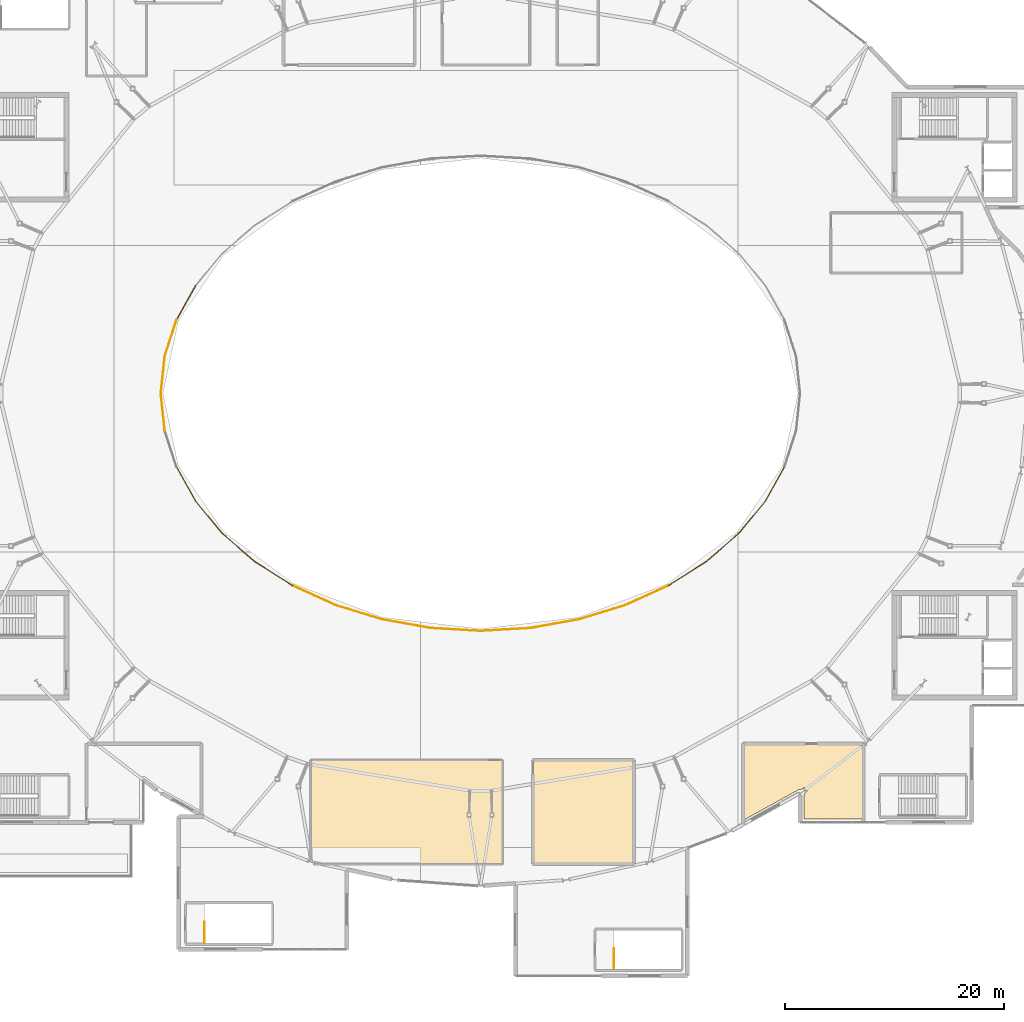
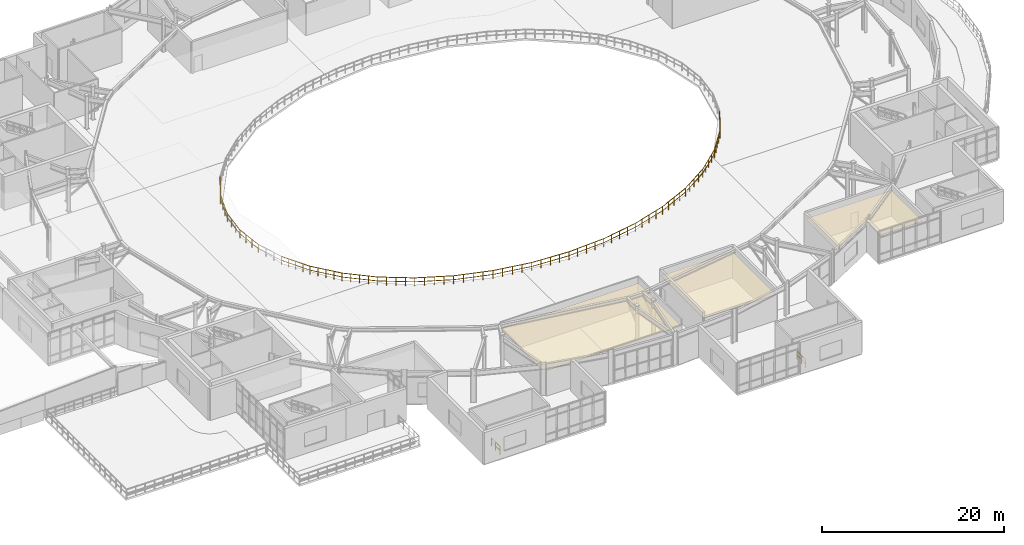
# One storey, part 45 of 48: 22 railings, 3 coverings.
"""IFC4 building model written with IfcOpenShell, lengths in metres."""

from ifc_helpers import new_model, si_unit, direction, frame, origin, origin_2d, place, context, subcontext, project, spatial, polyline, circle, outline, extrude, material, layer, layer_set, type_object, element, save


model = new_model("IFC4")

# Units and contexts
model_context = context("Model", 3, precision=1e-05, world=origin(), true_north=direction((0.0, 1.0)))
body_context = subcontext(model_context, "Body", "Model", "MODEL_VIEW")
ifc_project = project(units=[si_unit("LENGTHUNIT", "METRE"), si_unit("AREAUNIT", "SQUARE_METRE"), si_unit("VOLUMEUNIT", "CUBIC_METRE"), si_unit("PLANEANGLEUNIT", "RADIAN"), si_unit("MASSUNIT", "GRAM", prefix="KILO")], contexts=[model_context])

# Site, building, storey
site_placement = place(None, origin())
site = spatial("IfcSite", under=ifc_project, at=site_placement, CompositionType="ELEMENT")
building_placement = place(site_placement, origin())
building = spatial("IfcBuilding", under=site, at=building_placement, Name="Glasvene Arena", CompositionType="ELEMENT")
storey_placement = place(building_placement, frame((0.0, 0.0, 19.5)))
storey = spatial("IfcBuildingStorey", under=building, at=storey_placement, Name="L04", CompositionType="ELEMENT", Elevation=19.5)

# Coverings
ifc_material_1 = material(Name="Perforated acoustic mineral ceiling tile")
ifc_layer = layer(ifc_material_1, 0.0400390625)
ifc_layer_set = layer_set([ifc_layer], Name="Perforated acoustic mineral ceiling tile")
covering_type = type_object("IfcCoveringType", Name="COV-CEIL-AC", PredefinedType="CEILING", material=ifc_layer_set)
covering_1_placement = place(storey_placement, frame((79.331298828125, 31.558837890625, 3.31005859375)))
element("IfcCovering", 1, at=covering_1_placement, inside=storey, type_object=covering_type, Name="Acoustic suspended ceiling Sky Terrace Lounge South", PredefinedType="CEILING", context=body_context, shape_type="SweptSolid", body=[
    extrude(outline(polyline([(14.648681640625, 7.921142578125), (14.648681640625, -1.538818359375), (-2.41748046875, -1.538818359375), (-2.35009765625, -1.352783203125), (-2.346435546875, -1.337646484375), (-2.345703125, -1.322021484375), (-2.347900390625, -1.306396484375), (-2.35302734375, -1.291748046875), (-2.361083984375, -1.278076171875), (-2.37158203125, -1.266357421875), (-2.38427734375, -1.257080078125), (-2.398193359375, -1.250244140625), (-2.811279296875, -1.101318359375), (-2.811279296875, 7.921142578125), (14.648681640625, 7.921142578125)])), origin(), (0.0, 0.0, 1.0), 0.0400390625),
])
covering_2_placement = place(storey_placement, frame((121.589599609375, 36.816650390625, 3.31005859375)))
element("IfcCovering", 2, at=covering_2_placement, inside=storey, type_object=covering_type, Name="Acoustic suspended ceiling Television Broadcast Studio 2", PredefinedType="CEILING", context=body_context, shape_type="SweptSolid", body=[
    extrude(outline(polyline([(-0.3544921875, 0.0107421875), (-0.518798828125, -0.012939453125), (-5.569580078125, -2.79541015625), (-5.569580078125, 4.163330078125), (5.3828125, 4.163330078125), (5.390380859375, -2.6767578125), (-0.049560546875, -2.6767578125), (-0.049560546875, -0.396240234375), (0.197021484375, -0.197265625), (0.208251953125, -0.186279296875), (0.217041015625, -0.17333984375), (0.22314453125, -0.158935546875), (0.226318359375, -0.1435546875), (0.2265625, -0.1279296875), (0.223388671875, -0.112548828125), (0.2177734375, -0.097900390625), (0.208984375, -0.084716796875), (0.0205078125, 0.148681640625), (0.009521484375, 0.159912109375), (-0.00341796875, 0.168701171875), (-0.017822265625, 0.1748046875), (-0.033203125, 0.177978515625), (-0.048828125, 0.177978515625), (-0.064208984375, 0.175048828125), (-0.078857421875, 0.169189453125), (-0.091796875, 0.16064453125), (-0.30078125, -0.008056640625), (-0.3544921875, 0.0107421875)])), origin(), (0.0, 0.0, 1.0), 0.0400390625),
])
covering_3_placement = place(storey_placement, frame((101.39990234375, 34.75, 3.31005859375)))
element("IfcCovering", 3, at=covering_3_placement, inside=storey, type_object=covering_type, Name="Acoustic suspended ceiling Post-Production Editing Suite", PredefinedType="CEILING", context=body_context, shape_type="SweptSolid", body=[
    extrude(outline(polyline([(4.580078125, 4.72998046875), (4.580078125, -4.72998046875), (-4.579833984375, -4.72998046875), (-4.579833984375, 4.72998046875), (4.580078125, 4.72998046875)])), origin(), (0.0, 0.0, 1.0), 0.0400390625),
])

# Railings
ifc_material_2 = material(Name="Brushed stainless steel", Category="steel")
railing_type = type_object("IfcRailingType", Name="RL-GUARD-1100", PredefinedType="GUARDRAIL", material=ifc_material_2)
railing_1_placement = place(storey_placement, frame((66.800048828125, 22.800048828125, 0.0)))
element("IfcRailing", 4, at=railing_1_placement, inside=storey, type_object=railing_type, Name="Stair top landing well guard ST-08", PredefinedType="GUARDRAIL", context=body_context, shape_type="SweptSolid", body=[
    extrude(circle(Radius=0.02392578125, at=origin_2d()), frame((0.0, 0.0, 1.076171875), z_axis=(0.0, 1.0, 0.0), x_axis=(-1.0, 0.0, 0.0)), (0.0, 0.0, 1.0), 1.89990234375),
    extrude(circle(Radius=0.01611328125, at=origin_2d()), frame((0.0, 0.0, 0.550048828125), z_axis=(0.0, 1.0, 0.0), x_axis=(-1.0, 0.0, 0.0)), (0.0, 0.0, 1.0), 1.89990234375),
    extrude(circle(Radius=0.02099609375, at=origin_2d()), origin(), (0.0, 0.0, 1.0), 1.052001953125),
    extrude(circle(Radius=0.02099609375, at=origin_2d()), frame((0.0, 0.949951171875, 0.0)), (0.0, 0.0, 1.0), 1.052001953125),
    extrude(circle(Radius=0.02099609375, at=origin_2d()), frame((0.0, 1.89990234375, 0.0)), (0.0, 0.0, 1.0), 1.052001953125),
])
railing_2_placement = place(storey_placement, frame((104.199951171875, 20.39990234375, 0.0)))
element("IfcRailing", 5, at=railing_2_placement, inside=storey, type_object=railing_type, Name="Stair top landing well guard ST-09", PredefinedType="GUARDRAIL", context=body_context, shape_type="SweptSolid", body=[
    extrude(circle(Radius=0.02392578125, at=origin_2d()), frame((0.0, 0.0, 1.076171875), z_axis=(0.0, 1.0, 0.0), x_axis=(-1.0, 0.0, 0.0)), (0.0, 0.0, 1.0), 1.900146484375),
    extrude(circle(Radius=0.01611328125, at=origin_2d()), frame((0.0, 0.0, 0.550048828125), z_axis=(0.0, 1.0, 0.0), x_axis=(-1.0, 0.0, 0.0)), (0.0, 0.0, 1.0), 1.900146484375),
    extrude(circle(Radius=0.02099609375, at=origin_2d()), origin(), (0.0, 0.0, 1.0), 1.052001953125),
    extrude(circle(Radius=0.02099609375, at=origin_2d()), frame((0.0, 0.9501953125, 0.0)), (0.0, 0.0, 1.0), 1.052001953125),
    extrude(circle(Radius=0.02099609375, at=origin_2d()), frame((0.0, 1.900146484375, 0.0)), (0.0, 0.0, 1.0), 1.052001953125),
])
railing_3_placement = place(storey_placement, frame((65.982666015625, 82.8515625, 0.0)))
element("IfcRailing", 6, at=railing_3_placement, inside=storey, type_object=railing_type, Name="Safety guardrail GD-BWL-L04-018", PredefinedType="GUARDRAIL", context=body_context, shape_type="SweptSolid", body=[
    extrude(circle(Radius=0.02392578125, at=origin_2d()), frame((0.0, 0.0, 1.076171875), z_axis=(-0.486920149471, -0.873446488366, 0.0), x_axis=(0.873446488366, -0.486920149471, 0.0)), (0.0, 0.0, 1.0), 3.6015625),
    extrude(circle(Radius=0.01611328125, at=origin_2d()), frame((0.0, 0.0, 0.550048828125), z_axis=(-0.486920149471, -0.873446488366, 0.0), x_axis=(0.873446488366, -0.486920149471, 0.0)), (0.0, 0.0, 1.0), 3.6015625),
    extrude(circle(Radius=0.02099609375, at=origin_2d()), origin(), (0.0, 0.0, 1.0), 1.052001953125),
    extrude(circle(Radius=0.02099609375, at=origin_2d()), frame((-0.4384765625, -0.786376953125, 0.0)), (0.0, 0.0, 1.0), 1.052001953125),
    extrude(circle(Radius=0.02099609375, at=origin_2d()), frame((-0.876953125, -1.57275390625, 0.0)), (0.0, 0.0, 1.0), 1.052001953125),
    extrude(circle(Radius=0.02099609375, at=origin_2d()), frame((-1.315185546875, -2.359375, 0.0)), (0.0, 0.0, 1.0), 1.052001953125),
    extrude(circle(Radius=0.02099609375, at=origin_2d()), frame((-1.753662109375, -3.145751953125, 0.0)), (0.0, 0.0, 1.0), 1.052001953125),
])
railing_4_placement = place(storey_placement, frame((64.22900390625, 79.705810546875, 0.0)))
element("IfcRailing", 7, at=railing_4_placement, inside=storey, type_object=railing_type, Name="Safety guardrail GD-BWL-L04-019", PredefinedType="GUARDRAIL", context=body_context, shape_type="SweptSolid", body=[
    extrude(circle(Radius=0.02392578125, at=origin_2d()), frame((0.0, 0.0, 1.076171875), z_axis=(-0.30737379466, -0.951588855734, 0.0), x_axis=(0.951588855734, -0.30737379466, 0.0)), (0.0, 0.0, 1.0), 3.479736328125),
    extrude(circle(Radius=0.01611328125, at=origin_2d()), frame((0.0, 0.0, 0.550048828125), z_axis=(-0.30737379466, -0.951588855734, 0.0), x_axis=(0.951588855734, -0.30737379466, 0.0)), (0.0, 0.0, 1.0), 3.479736328125),
    extrude(circle(Radius=0.02099609375, at=origin_2d()), origin(), (0.0, 0.0, 1.0), 1.052001953125),
    extrude(circle(Radius=0.02099609375, at=origin_2d()), frame((-0.3564453125, -1.103759765625, 0.0)), (0.0, 0.0, 1.0), 1.052001953125),
    extrude(circle(Radius=0.02099609375, at=origin_2d()), frame((-0.713134765625, -2.20751953125, 0.0)), (0.0, 0.0, 1.0), 1.052001953125),
    extrude(circle(Radius=0.02099609375, at=origin_2d()), frame((-1.069580078125, -3.311279296875, 0.0)), (0.0, 0.0, 1.0), 1.052001953125),
])
railing_5_placement = place(storey_placement, frame((63.159423828125, 76.39453125, 0.0)))
element("IfcRailing", 8, at=railing_5_placement, inside=storey, type_object=railing_type, Name="Safety guardrail GD-BWL-L04-020", PredefinedType="GUARDRAIL", context=body_context, shape_type="SweptSolid", body=[
    extrude(circle(Radius=0.02392578125, at=origin_2d()), frame((0.0, 0.0, 1.076171875), z_axis=(-0.10528045623, -0.994442570255, 0.0), x_axis=(0.994442570255, -0.10528045623, 0.0)), (0.0, 0.0, 1.0), 3.41357421875),
    extrude(circle(Radius=0.01611328125, at=origin_2d()), frame((0.0, 0.0, 0.550048828125), z_axis=(-0.10528045623, -0.994442570255, 0.0), x_axis=(0.994442570255, -0.10528045623, 0.0)), (0.0, 0.0, 1.0), 3.41357421875),
    extrude(circle(Radius=0.02099609375, at=origin_2d()), origin(), (0.0, 0.0, 1.0), 1.052001953125),
    extrude(circle(Radius=0.02099609375, at=origin_2d()), frame((-0.119873046875, -1.131591796875, 0.0)), (0.0, 0.0, 1.0), 1.052001953125),
    extrude(circle(Radius=0.02099609375, at=origin_2d()), frame((-0.239501953125, -2.262939453125, 0.0)), (0.0, 0.0, 1.0), 1.052001953125),
    extrude(circle(Radius=0.02099609375, at=origin_2d()), frame((-0.359375, -3.39453125, 0.0)), (0.0, 0.0, 1.0), 1.052001953125),
])
railing_6_placement = place(storey_placement, frame((62.800048828125, 73.0, 0.0)))
element("IfcRailing", 9, at=railing_6_placement, inside=storey, type_object=railing_type, Name="Safety guardrail GD-BWL-L04-021", PredefinedType="GUARDRAIL", context=body_context, shape_type="SweptSolid", body=[
    extrude(circle(Radius=0.02392578125, at=origin_2d()), frame((0.0, 0.0, 1.076171875), z_axis=(0.10528045623, -0.994442570255, 0.0), x_axis=(0.994442570255, 0.10528045623, 0.0)), (0.0, 0.0, 1.0), 3.41357421875),
    extrude(circle(Radius=0.01611328125, at=origin_2d()), frame((0.0, 0.0, 0.550048828125), z_axis=(0.10528045623, -0.994442570255, 0.0), x_axis=(0.994442570255, 0.10528045623, 0.0)), (0.0, 0.0, 1.0), 3.41357421875),
    extrude(circle(Radius=0.02099609375, at=origin_2d()), origin(), (0.0, 0.0, 1.0), 1.052001953125),
    extrude(circle(Radius=0.02099609375, at=origin_2d()), frame((0.119873046875, -1.131591796875, 0.0)), (0.0, 0.0, 1.0), 1.052001953125),
    extrude(circle(Radius=0.02099609375, at=origin_2d()), frame((0.239501953125, -2.262939453125, 0.0)), (0.0, 0.0, 1.0), 1.052001953125),
    extrude(circle(Radius=0.02099609375, at=origin_2d()), frame((0.359375, -3.39453125, 0.0)), (0.0, 0.0, 1.0), 1.052001953125),
])
railing_7_placement = place(storey_placement, frame((64.22900390625, 66.294189453125, 0.0)))
element("IfcRailing", 10, at=railing_7_placement, inside=storey, type_object=railing_type, Name="Safety guardrail GD-BWL-L04-023", PredefinedType="GUARDRAIL", context=body_context, shape_type="SweptSolid", body=[
    extrude(circle(Radius=0.02392578125, at=origin_2d()), frame((0.0, 0.0, 1.076171875), z_axis=(0.486920149471, -0.873446488366, 0.0), x_axis=(0.873446488366, 0.486920149471, 0.0)), (0.0, 0.0, 1.0), 3.6015625),
    extrude(circle(Radius=0.01611328125, at=origin_2d()), frame((0.0, 0.0, 0.550048828125), z_axis=(0.486920149471, -0.873446488366, 0.0), x_axis=(0.873446488366, 0.486920149471, 0.0)), (0.0, 0.0, 1.0), 3.6015625),
    extrude(circle(Radius=0.02099609375, at=origin_2d()), origin(), (0.0, 0.0, 1.0), 1.052001953125),
    extrude(circle(Radius=0.02099609375, at=origin_2d()), frame((0.4384765625, -0.786376953125, 0.0)), (0.0, 0.0, 1.0), 1.052001953125),
    extrude(circle(Radius=0.02099609375, at=origin_2d()), frame((0.876953125, -1.57275390625, 0.0)), (0.0, 0.0, 1.0), 1.052001953125),
    extrude(circle(Radius=0.02099609375, at=origin_2d()), frame((1.315185546875, -2.359375, 0.0)), (0.0, 0.0, 1.0), 1.052001953125),
    extrude(circle(Radius=0.02099609375, at=origin_2d()), frame((1.753662109375, -3.145751953125, 0.0)), (0.0, 0.0, 1.0), 1.052001953125),
])
railing_8_placement = place(storey_placement, frame((65.982666015625, 63.1484375, 0.0)))
element("IfcRailing", 11, at=railing_8_placement, inside=storey, type_object=railing_type, Name="Safety guardrail GD-BWL-L04-024", PredefinedType="GUARDRAIL", context=body_context, shape_type="SweptSolid", body=[
    extrude(circle(Radius=0.02392578125, at=origin_2d()), frame((0.0, 0.0, 1.076171875), z_axis=(0.6361937785, -0.771529310006, 0.0), x_axis=(0.771529310006, 0.6361937785, 0.0)), (0.0, 0.0, 1.0), 3.76318359375),
    extrude(circle(Radius=0.01611328125, at=origin_2d()), frame((0.0, 0.0, 0.550048828125), z_axis=(0.6361937785, -0.771529310006, 0.0), x_axis=(0.771529310006, 0.6361937785, 0.0)), (0.0, 0.0, 1.0), 3.76318359375),
    extrude(circle(Radius=0.02099609375, at=origin_2d()), origin(), (0.0, 0.0, 1.0), 1.052001953125),
    extrude(circle(Radius=0.02099609375, at=origin_2d()), frame((0.5986328125, -0.725830078125, 0.0)), (0.0, 0.0, 1.0), 1.052001953125),
    extrude(circle(Radius=0.02099609375, at=origin_2d()), frame((1.197021484375, -1.45166015625, 0.0)), (0.0, 0.0, 1.0), 1.052001953125),
    extrude(circle(Radius=0.02099609375, at=origin_2d()), frame((1.79541015625, -2.177490234375, 0.0)), (0.0, 0.0, 1.0), 1.052001953125),
    extrude(circle(Radius=0.02099609375, at=origin_2d()), frame((2.39404296875, -2.9033203125, 0.0)), (0.0, 0.0, 1.0), 1.052001953125),
])
railing_9_placement = place(storey_placement, frame((68.376708984375, 60.2451171875, 0.0)))
element("IfcRailing", 12, at=railing_9_placement, inside=storey, type_object=railing_type, Name="Safety guardrail GD-BWL-L04-025", PredefinedType="GUARDRAIL", context=body_context, shape_type="SweptSolid", body=[
    extrude(circle(Radius=0.02392578125, at=origin_2d()), frame((0.0, 0.0, 1.076171875), z_axis=(0.754394959105, -0.656420784007, 0.0), x_axis=(0.656420784007, 0.754394959105, 0.0)), (0.0, 0.0, 1.0), 3.944580078125),
    extrude(circle(Radius=0.01611328125, at=origin_2d()), frame((0.0, 0.0, 0.550048828125), z_axis=(0.754394959105, -0.656420784007, 0.0), x_axis=(0.656420784007, 0.754394959105, 0.0)), (0.0, 0.0, 1.0), 3.944580078125),
    extrude(circle(Radius=0.02099609375, at=origin_2d()), origin(), (0.0, 0.0, 1.0), 1.052001953125),
    extrude(circle(Radius=0.02099609375, at=origin_2d()), frame((0.743896484375, -0.6474609375, 0.0)), (0.0, 0.0, 1.0), 1.052001953125),
    extrude(circle(Radius=0.02099609375, at=origin_2d()), frame((1.48779296875, -1.294677734375, 0.0)), (0.0, 0.0, 1.0), 1.052001953125),
    extrude(circle(Radius=0.02099609375, at=origin_2d()), frame((2.23193359375, -1.94189453125, 0.0)), (0.0, 0.0, 1.0), 1.052001953125),
    extrude(circle(Radius=0.02099609375, at=origin_2d()), frame((2.975830078125, -2.58935546875, 0.0)), (0.0, 0.0, 1.0), 1.052001953125),
])
railing_10_placement = place(storey_placement, frame((71.3525390625, 57.65576171875, 0.0)))
element("IfcRailing", 13, at=railing_10_placement, inside=storey, type_object=railing_type, Name="Safety guardrail GD-BWL-L04-026", PredefinedType="GUARDRAIL", context=body_context, shape_type="SweptSolid", body=[
    extrude(circle(Radius=0.02392578125, at=origin_2d()), frame((0.0, 0.0, 1.076171875), z_axis=(0.844291843699, -0.535883646572, 0.0), x_axis=(0.535883646572, 0.844291843699, 0.0)), (0.0, 0.0, 1.0), 4.126708984375),
    extrude(circle(Radius=0.01611328125, at=origin_2d()), frame((0.0, 0.0, 0.550048828125), z_axis=(0.844291843699, -0.535883646572, 0.0), x_axis=(0.535883646572, 0.844291843699, 0.0)), (0.0, 0.0, 1.0), 4.126708984375),
    extrude(circle(Radius=0.02099609375, at=origin_2d()), origin(), (0.0, 0.0, 1.0), 1.052001953125),
    extrude(circle(Radius=0.02099609375, at=origin_2d()), frame((0.87109375, -0.552734375, 0.0)), (0.0, 0.0, 1.0), 1.052001953125),
    extrude(circle(Radius=0.02099609375, at=origin_2d()), frame((1.7421875, -1.105712890625, 0.0)), (0.0, 0.0, 1.0), 1.052001953125),
    extrude(circle(Radius=0.02099609375, at=origin_2d()), frame((2.613037109375, -1.65869140625, 0.0)), (0.0, 0.0, 1.0), 1.052001953125),
    extrude(circle(Radius=0.02099609375, at=origin_2d()), frame((3.484130859375, -2.21142578125, 0.0)), (0.0, 0.0, 1.0), 1.052001953125),
])
railing_11_placement = place(storey_placement, frame((74.836669921875, 55.4443359375, 0.0)))
element("IfcRailing", 14, at=railing_11_placement, inside=storey, type_object=railing_type, Name="Safety guardrail GD-BWL-L04-027", PredefinedType="GUARDRAIL", context=body_context, shape_type="SweptSolid", body=[
    extrude(circle(Radius=0.02392578125, at=origin_2d()), frame((0.0, 0.0, 1.076171875), z_axis=(0.910079947412, -0.414432731958, 0.0), x_axis=(0.414432731958, 0.910079947412, 0.0)), (0.0, 0.0, 1.0), 4.292724609375),
    extrude(circle(Radius=0.01611328125, at=origin_2d()), frame((0.0, 0.0, 0.550048828125), z_axis=(0.910079947412, -0.414432731958, 0.0), x_axis=(0.414432731958, 0.910079947412, 0.0)), (0.0, 0.0, 1.0), 4.292724609375),
    extrude(circle(Radius=0.02099609375, at=origin_2d()), origin(), (0.0, 0.0, 1.0), 1.052001953125),
    extrude(circle(Radius=0.02099609375, at=origin_2d()), frame((0.9765625, -0.44482421875, 0.0)), (0.0, 0.0, 1.0), 1.052001953125),
    extrude(circle(Radius=0.02099609375, at=origin_2d()), frame((1.953369140625, -0.8896484375, 0.0)), (0.0, 0.0, 1.0), 1.052001953125),
    extrude(circle(Radius=0.02099609375, at=origin_2d()), frame((2.93017578125, -1.334228515625, 0.0)), (0.0, 0.0, 1.0), 1.052001953125),
    extrude(circle(Radius=0.02099609375, at=origin_2d()), frame((3.90673828125, -1.779052734375, 0.0)), (0.0, 0.0, 1.0), 1.052001953125),
])
railing_12_placement = place(storey_placement, frame((78.743408203125, 53.665283203125, 0.0)))
element("IfcRailing", 15, at=railing_12_placement, inside=storey, type_object=railing_type, Name="Safety guardrail GD-BWL-L04-028", PredefinedType="GUARDRAIL", context=body_context, shape_type="SweptSolid", body=[
    extrude(circle(Radius=0.02392578125, at=origin_2d()), frame((0.0, 0.0, 1.076171875), z_axis=(0.955738480796, -0.294217532323, 0.0), x_axis=(0.294217532323, 0.955738480796, 0.0)), (0.0, 0.0, 1.0), 4.429443359375),
    extrude(circle(Radius=0.01611328125, at=origin_2d()), frame((0.0, 0.0, 0.550048828125), z_axis=(0.955738480796, -0.294217532323, 0.0), x_axis=(0.294217532323, 0.955738480796, 0.0)), (0.0, 0.0, 1.0), 4.429443359375),
    extrude(circle(Radius=0.02099609375, at=origin_2d()), origin(), (0.0, 0.0, 1.0), 1.052001953125),
    extrude(circle(Radius=0.02099609375, at=origin_2d()), frame((1.058349609375, -0.32568359375, 0.0)), (0.0, 0.0, 1.0), 1.052001953125),
    extrude(circle(Radius=0.02099609375, at=origin_2d()), frame((2.11669921875, -0.651611328125, 0.0)), (0.0, 0.0, 1.0), 1.052001953125),
    extrude(circle(Radius=0.02099609375, at=origin_2d()), frame((3.175048828125, -0.9775390625, 0.0)), (0.0, 0.0, 1.0), 1.052001953125),
    extrude(circle(Radius=0.02099609375, at=origin_2d()), frame((4.2333984375, -1.30322265625, 0.0)), (0.0, 0.0, 1.0), 1.052001953125),
])
railing_13_placement = place(storey_placement, frame((82.976806640625, 52.362060546875, 0.0)))
element("IfcRailing", 16, at=railing_13_placement, inside=storey, type_object=railing_type, Name="Safety guardrail GD-BWL-L04-029", PredefinedType="GUARDRAIL", context=body_context, shape_type="SweptSolid", body=[
    extrude(circle(Radius=0.02392578125, at=origin_2d()), frame((0.0, 0.0, 1.076171875), z_axis=(0.984453237515, -0.175646870587, 0.0), x_axis=(0.175646870587, 0.984453237515, 0.0)), (0.0, 0.0, 1.0), 4.525634765625),
    extrude(circle(Radius=0.01611328125, at=origin_2d()), frame((0.0, 0.0, 0.550048828125), z_axis=(0.984453237515, -0.175646870587, 0.0), x_axis=(0.175646870587, 0.984453237515, 0.0)), (0.0, 0.0, 1.0), 4.525634765625),
    extrude(circle(Radius=0.02099609375, at=origin_2d()), origin(), (0.0, 0.0, 1.0), 1.052001953125),
    extrude(circle(Radius=0.02099609375, at=origin_2d()), frame((1.11376953125, -0.19873046875, 0.0)), (0.0, 0.0, 1.0), 1.052001953125),
    extrude(circle(Radius=0.02099609375, at=origin_2d()), frame((2.2275390625, -0.3974609375, 0.0)), (0.0, 0.0, 1.0), 1.052001953125),
    extrude(circle(Radius=0.02099609375, at=origin_2d()), frame((3.341552734375, -0.59619140625, 0.0)), (0.0, 0.0, 1.0), 1.052001953125),
    extrude(circle(Radius=0.02099609375, at=origin_2d()), frame((4.455322265625, -0.794921875, 0.0)), (0.0, 0.0, 1.0), 1.052001953125),
])
railing_14_placement = place(storey_placement, frame((87.43212890625, 51.567138671875, 0.0)))
element("IfcRailing", 17, at=railing_14_placement, inside=storey, type_object=railing_type, Name="Safety guardrail GD-BWL-L04-030", PredefinedType="GUARDRAIL", context=body_context, shape_type="SweptSolid", body=[
    extrude(circle(Radius=0.02392578125, at=origin_2d()), frame((0.0, 0.0, 1.076171875), z_axis=(0.998294918251, -0.058371707139, 0.0), x_axis=(0.058371707139, 0.998294918251, 0.0)), (0.0, 0.0, 1.0), 4.57568359375),
    extrude(circle(Radius=0.01611328125, at=origin_2d()), frame((0.0, 0.0, 0.550048828125), z_axis=(0.998294918251, -0.058371707139, 0.0), x_axis=(0.058371707139, 0.998294918251, 0.0)), (0.0, 0.0, 1.0), 4.57568359375),
    extrude(circle(Radius=0.02099609375, at=origin_2d()), origin(), (0.0, 0.0, 1.0), 1.052001953125),
    extrude(circle(Radius=0.02099609375, at=origin_2d()), frame((1.14208984375, -0.06689453125, 0.0)), (0.0, 0.0, 1.0), 1.052001953125),
    extrude(circle(Radius=0.02099609375, at=origin_2d()), frame((2.283935546875, -0.133544921875, 0.0)), (0.0, 0.0, 1.0), 1.052001953125),
    extrude(circle(Radius=0.02099609375, at=origin_2d()), frame((3.42578125, -0.2001953125, 0.0)), (0.0, 0.0, 1.0), 1.052001953125),
    extrude(circle(Radius=0.02099609375, at=origin_2d()), frame((4.56787109375, -0.26708984375, 0.0)), (0.0, 0.0, 1.0), 1.052001953125),
])
railing_15_placement = place(storey_placement, frame((92.0, 51.300048828125, 0.0)))
element("IfcRailing", 18, at=railing_15_placement, inside=storey, type_object=railing_type, Name="Safety guardrail GD-BWL-L04-031", PredefinedType="GUARDRAIL", context=body_context, shape_type="SweptSolid", body=[
    extrude(circle(Radius=0.02392578125, at=origin_2d()), frame((0.0, 0.0, 1.076171875), z_axis=(0.998294918251, 0.058371707139, 0.0), x_axis=(-0.058371707139, 0.998294918251, 0.0)), (0.0, 0.0, 1.0), 4.57568359375),
    extrude(circle(Radius=0.01611328125, at=origin_2d()), frame((0.0, 0.0, 0.550048828125), z_axis=(0.998294918251, 0.058371707139, 0.0), x_axis=(-0.058371707139, 0.998294918251, 0.0)), (0.0, 0.0, 1.0), 4.57568359375),
    extrude(circle(Radius=0.02099609375, at=origin_2d()), origin(), (0.0, 0.0, 1.0), 1.052001953125),
    extrude(circle(Radius=0.02099609375, at=origin_2d()), frame((1.14208984375, 0.06689453125, 0.0)), (0.0, 0.0, 1.0), 1.052001953125),
    extrude(circle(Radius=0.02099609375, at=origin_2d()), frame((2.283935546875, 0.133544921875, 0.0)), (0.0, 0.0, 1.0), 1.052001953125),
    extrude(circle(Radius=0.02099609375, at=origin_2d()), frame((3.42578125, 0.2001953125, 0.0)), (0.0, 0.0, 1.0), 1.052001953125),
    extrude(circle(Radius=0.02099609375, at=origin_2d()), frame((4.56787109375, 0.26708984375, 0.0)), (0.0, 0.0, 1.0), 1.052001953125),
])
railing_16_placement = place(storey_placement, frame((96.56787109375, 51.567138671875, 0.0)))
element("IfcRailing", 19, at=railing_16_placement, inside=storey, type_object=railing_type, Name="Safety guardrail GD-BWL-L04-032", PredefinedType="GUARDRAIL", context=body_context, shape_type="SweptSolid", body=[
    extrude(circle(Radius=0.02392578125, at=origin_2d()), frame((0.0, 0.0, 1.076171875), z_axis=(0.984453237515, 0.175646870587, 0.0), x_axis=(-0.175646870587, 0.984453237515, 0.0)), (0.0, 0.0, 1.0), 4.525634765625),
    extrude(circle(Radius=0.01611328125, at=origin_2d()), frame((0.0, 0.0, 0.550048828125), z_axis=(0.984453237515, 0.175646870587, 0.0), x_axis=(-0.175646870587, 0.984453237515, 0.0)), (0.0, 0.0, 1.0), 4.525634765625),
    extrude(circle(Radius=0.02099609375, at=origin_2d()), origin(), (0.0, 0.0, 1.0), 1.052001953125),
    extrude(circle(Radius=0.02099609375, at=origin_2d()), frame((1.11376953125, 0.19873046875, 0.0)), (0.0, 0.0, 1.0), 1.052001953125),
    extrude(circle(Radius=0.02099609375, at=origin_2d()), frame((2.2275390625, 0.3974609375, 0.0)), (0.0, 0.0, 1.0), 1.052001953125),
    extrude(circle(Radius=0.02099609375, at=origin_2d()), frame((3.341552734375, 0.59619140625, 0.0)), (0.0, 0.0, 1.0), 1.052001953125),
    extrude(circle(Radius=0.02099609375, at=origin_2d()), frame((4.455322265625, 0.794921875, 0.0)), (0.0, 0.0, 1.0), 1.052001953125),
])
railing_17_placement = place(storey_placement, frame((101.023193359375, 52.362060546875, 0.0)))
element("IfcRailing", 20, at=railing_17_placement, inside=storey, type_object=railing_type, Name="Safety guardrail GD-BWL-L04-033", PredefinedType="GUARDRAIL", context=body_context, shape_type="SweptSolid", body=[
    extrude(circle(Radius=0.02392578125, at=origin_2d()), frame((0.0, 0.0, 1.076171875), z_axis=(0.955738480796, 0.294217532323, 0.0), x_axis=(-0.294217532323, 0.955738480796, 0.0)), (0.0, 0.0, 1.0), 4.429443359375),
    extrude(circle(Radius=0.01611328125, at=origin_2d()), frame((0.0, 0.0, 0.550048828125), z_axis=(0.955738480796, 0.294217532323, 0.0), x_axis=(-0.294217532323, 0.955738480796, 0.0)), (0.0, 0.0, 1.0), 4.429443359375),
    extrude(circle(Radius=0.02099609375, at=origin_2d()), origin(), (0.0, 0.0, 1.0), 1.052001953125),
    extrude(circle(Radius=0.02099609375, at=origin_2d()), frame((1.058349609375, 0.32568359375, 0.0)), (0.0, 0.0, 1.0), 1.052001953125),
    extrude(circle(Radius=0.02099609375, at=origin_2d()), frame((2.11669921875, 0.651611328125, 0.0)), (0.0, 0.0, 1.0), 1.052001953125),
    extrude(circle(Radius=0.02099609375, at=origin_2d()), frame((3.175048828125, 0.9775390625, 0.0)), (0.0, 0.0, 1.0), 1.052001953125),
    extrude(circle(Radius=0.02099609375, at=origin_2d()), frame((4.2333984375, 1.30322265625, 0.0)), (0.0, 0.0, 1.0), 1.052001953125),
])
railing_18_placement = place(storey_placement, frame((105.256591796875, 53.665283203125, 0.0)))
element("IfcRailing", 21, at=railing_18_placement, inside=storey, type_object=railing_type, Name="Safety guardrail GD-BWL-L04-034", PredefinedType="GUARDRAIL", context=body_context, shape_type="SweptSolid", body=[
    extrude(circle(Radius=0.02392578125, at=origin_2d()), frame((0.0, 0.0, 1.076171875), z_axis=(0.910079947412, 0.414432731958, 0.0), x_axis=(-0.414432731958, 0.910079947412, 0.0)), (0.0, 0.0, 1.0), 4.292724609375),
    extrude(circle(Radius=0.01611328125, at=origin_2d()), frame((0.0, 0.0, 0.550048828125), z_axis=(0.910079947412, 0.414432731958, 0.0), x_axis=(-0.414432731958, 0.910079947412, 0.0)), (0.0, 0.0, 1.0), 4.292724609375),
    extrude(circle(Radius=0.02099609375, at=origin_2d()), origin(), (0.0, 0.0, 1.0), 1.052001953125),
    extrude(circle(Radius=0.02099609375, at=origin_2d()), frame((0.9765625, 0.44482421875, 0.0)), (0.0, 0.0, 1.0), 1.052001953125),
    extrude(circle(Radius=0.02099609375, at=origin_2d()), frame((1.953369140625, 0.8896484375, 0.0)), (0.0, 0.0, 1.0), 1.052001953125),
    extrude(circle(Radius=0.02099609375, at=origin_2d()), frame((2.93017578125, 1.334228515625, 0.0)), (0.0, 0.0, 1.0), 1.052001953125),
    extrude(circle(Radius=0.02099609375, at=origin_2d()), frame((3.90673828125, 1.779052734375, 0.0)), (0.0, 0.0, 1.0), 1.052001953125),
])
railing_19_placement = place(storey_placement, frame((109.163330078125, 55.4443359375, 0.0)))
element("IfcRailing", 22, at=railing_19_placement, inside=storey, type_object=railing_type, Name="Safety guardrail GD-BWL-L04-035", PredefinedType="GUARDRAIL", context=body_context, shape_type="SweptSolid", body=[
    extrude(circle(Radius=0.02392578125, at=origin_2d()), frame((0.0, 0.0, 1.076171875), z_axis=(0.844291843699, 0.535883646572, 0.0), x_axis=(-0.535883646572, 0.844291843699, 0.0)), (0.0, 0.0, 1.0), 4.126708984375),
    extrude(circle(Radius=0.01611328125, at=origin_2d()), frame((0.0, 0.0, 0.550048828125), z_axis=(0.844291843699, 0.535883646572, 0.0), x_axis=(-0.535883646572, 0.844291843699, 0.0)), (0.0, 0.0, 1.0), 4.126708984375),
    extrude(circle(Radius=0.02099609375, at=origin_2d()), origin(), (0.0, 0.0, 1.0), 1.052001953125),
    extrude(circle(Radius=0.02099609375, at=origin_2d()), frame((0.87109375, 0.552734375, 0.0)), (0.0, 0.0, 1.0), 1.052001953125),
    extrude(circle(Radius=0.02099609375, at=origin_2d()), frame((1.7421875, 1.105712890625, 0.0)), (0.0, 0.0, 1.0), 1.052001953125),
    extrude(circle(Radius=0.02099609375, at=origin_2d()), frame((2.613037109375, 1.65869140625, 0.0)), (0.0, 0.0, 1.0), 1.052001953125),
    extrude(circle(Radius=0.02099609375, at=origin_2d()), frame((3.484130859375, 2.21142578125, 0.0)), (0.0, 0.0, 1.0), 1.052001953125),
])
railing_20_placement = place(storey_placement, frame((112.6474609375, 57.65576171875, 0.0)))
element("IfcRailing", 23, at=railing_20_placement, inside=storey, type_object=railing_type, Name="Safety guardrail GD-BWL-L04-036", PredefinedType="GUARDRAIL", context=body_context, shape_type="SweptSolid", body=[
    extrude(circle(Radius=0.02392578125, at=origin_2d()), frame((0.0, 0.0, 1.076171875), z_axis=(0.754394959105, 0.656420784007, 0.0), x_axis=(-0.656420784007, 0.754394959105, 0.0)), (0.0, 0.0, 1.0), 3.944580078125),
    extrude(circle(Radius=0.01611328125, at=origin_2d()), frame((0.0, 0.0, 0.550048828125), z_axis=(0.754394959105, 0.656420784007, 0.0), x_axis=(-0.656420784007, 0.754394959105, 0.0)), (0.0, 0.0, 1.0), 3.944580078125),
    extrude(circle(Radius=0.02099609375, at=origin_2d()), origin(), (0.0, 0.0, 1.0), 1.052001953125),
    extrude(circle(Radius=0.02099609375, at=origin_2d()), frame((0.743896484375, 0.6474609375, 0.0)), (0.0, 0.0, 1.0), 1.052001953125),
    extrude(circle(Radius=0.02099609375, at=origin_2d()), frame((1.48779296875, 1.294677734375, 0.0)), (0.0, 0.0, 1.0), 1.052001953125),
    extrude(circle(Radius=0.02099609375, at=origin_2d()), frame((2.23193359375, 1.94189453125, 0.0)), (0.0, 0.0, 1.0), 1.052001953125),
    extrude(circle(Radius=0.02099609375, at=origin_2d()), frame((2.975830078125, 2.58935546875, 0.0)), (0.0, 0.0, 1.0), 1.052001953125),
])
railing_21_placement = place(storey_placement, frame((115.623291015625, 60.2451171875, 0.0)))
element("IfcRailing", 24, at=railing_21_placement, inside=storey, type_object=railing_type, Name="Safety guardrail GD-BWL-L04-037", PredefinedType="GUARDRAIL", context=body_context, shape_type="SweptSolid", body=[
    extrude(circle(Radius=0.02392578125, at=origin_2d()), frame((0.0, 0.0, 1.076171875), z_axis=(0.6361937785, 0.771529310006, 0.0), x_axis=(-0.771529310006, 0.6361937785, 0.0)), (0.0, 0.0, 1.0), 3.76318359375),
    extrude(circle(Radius=0.01611328125, at=origin_2d()), frame((0.0, 0.0, 0.550048828125), z_axis=(0.6361937785, 0.771529310006, 0.0), x_axis=(-0.771529310006, 0.6361937785, 0.0)), (0.0, 0.0, 1.0), 3.76318359375),
    extrude(circle(Radius=0.02099609375, at=origin_2d()), origin(), (0.0, 0.0, 1.0), 1.052001953125),
    extrude(circle(Radius=0.02099609375, at=origin_2d()), frame((0.5986328125, 0.725830078125, 0.0)), (0.0, 0.0, 1.0), 1.052001953125),
    extrude(circle(Radius=0.02099609375, at=origin_2d()), frame((1.197021484375, 1.45166015625, 0.0)), (0.0, 0.0, 1.0), 1.052001953125),
    extrude(circle(Radius=0.02099609375, at=origin_2d()), frame((1.79541015625, 2.177490234375, 0.0)), (0.0, 0.0, 1.0), 1.052001953125),
    extrude(circle(Radius=0.02099609375, at=origin_2d()), frame((2.39404296875, 2.9033203125, 0.0)), (0.0, 0.0, 1.0), 1.052001953125),
])
railing_22_placement = place(storey_placement, frame((118.017333984375, 63.1484375, 0.0)))
element("IfcRailing", 25, at=railing_22_placement, inside=storey, type_object=railing_type, Name="Safety guardrail GD-BWL-L04-038", PredefinedType="GUARDRAIL", context=body_context, shape_type="SweptSolid", body=[
    extrude(circle(Radius=0.02392578125, at=origin_2d()), frame((0.0, 0.0, 1.076171875), z_axis=(0.486920149471, 0.873446488366, 0.0), x_axis=(-0.873446488366, 0.486920149471, 0.0)), (0.0, 0.0, 1.0), 3.6015625),
    extrude(circle(Radius=0.01611328125, at=origin_2d()), frame((0.0, 0.0, 0.550048828125), z_axis=(0.486920149471, 0.873446488366, 0.0), x_axis=(-0.873446488366, 0.486920149471, 0.0)), (0.0, 0.0, 1.0), 3.6015625),
    extrude(circle(Radius=0.02099609375, at=origin_2d()), origin(), (0.0, 0.0, 1.0), 1.052001953125),
    extrude(circle(Radius=0.02099609375, at=origin_2d()), frame((0.4384765625, 0.786376953125, 0.0)), (0.0, 0.0, 1.0), 1.052001953125),
    extrude(circle(Radius=0.02099609375, at=origin_2d()), frame((0.876953125, 1.57275390625, 0.0)), (0.0, 0.0, 1.0), 1.052001953125),
    extrude(circle(Radius=0.02099609375, at=origin_2d()), frame((1.315185546875, 2.359375, 0.0)), (0.0, 0.0, 1.0), 1.052001953125),
    extrude(circle(Radius=0.02099609375, at=origin_2d()), frame((1.753662109375, 3.145751953125, 0.0)), (0.0, 0.0, 1.0), 1.052001953125),
])

save(model, "model.ifc")
